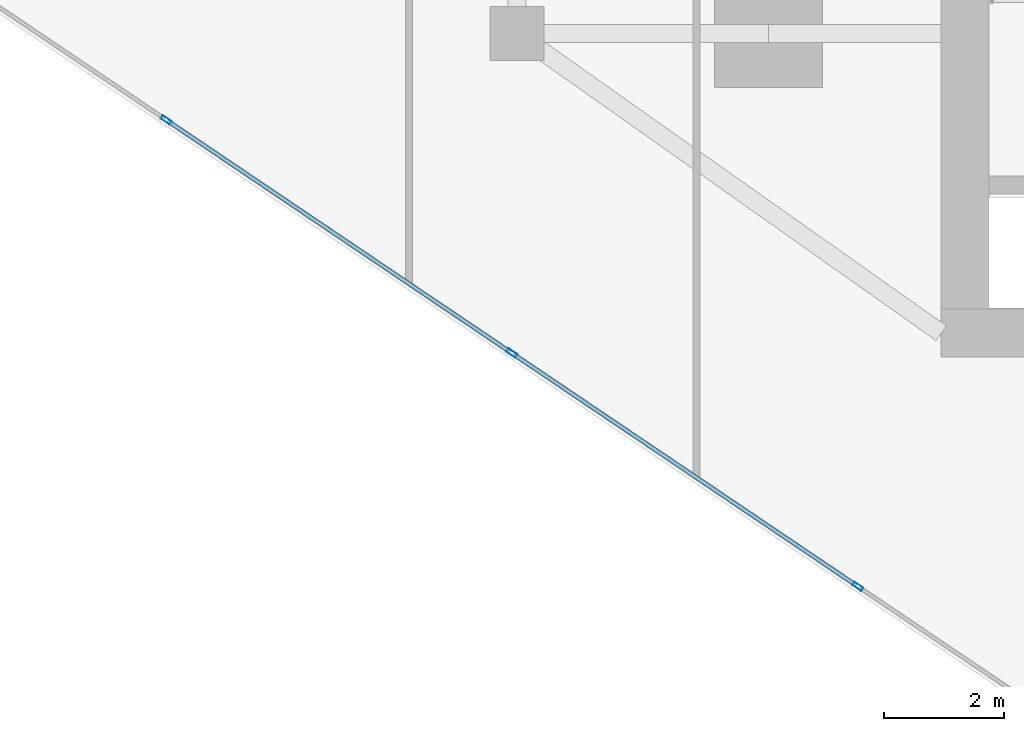
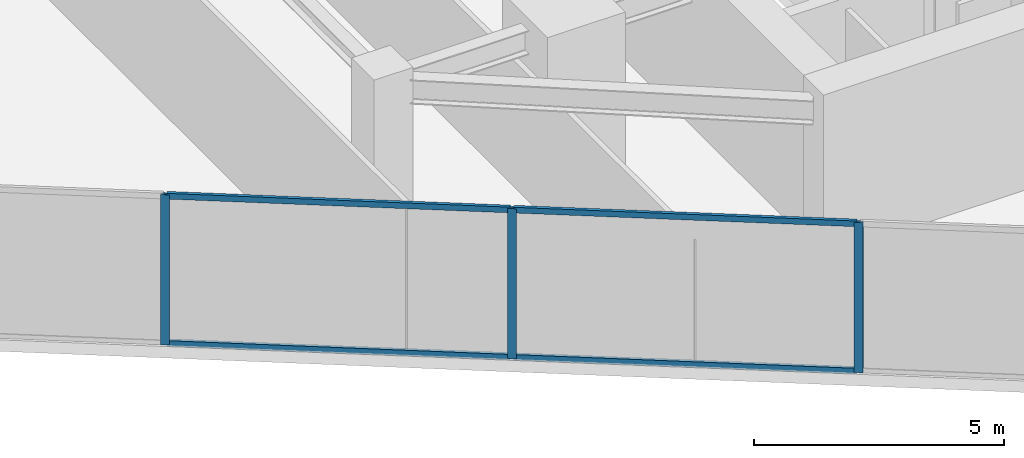
# One storey, part 2 of 27: 7 members, 1 element without a shape of its own.
"""IFC4 building model written with IfcOpenShell, lengths in metres."""

from ifc_helpers import new_model, si_unit, direction, frame, origin, origin_2d, place, context, subcontext, project, spatial, hollow_rectangle, extrude, source, transform, mapped, material, material_profile, profile_set, type_object, type_shapes, element, aggregate, save


model = new_model("IFC4")

# Units and contexts
model_context = context("Model", 3, precision=1e-05, world=origin(), true_north=direction((0.0, 1.0)))
body_context = subcontext(model_context, "Body", "Model", "MODEL_VIEW")
ifc_project = project(units=[si_unit("LENGTHUNIT", "METRE"), si_unit("AREAUNIT", "SQUARE_METRE"), si_unit("VOLUMEUNIT", "CUBIC_METRE"), si_unit("PLANEANGLEUNIT", "RADIAN"), si_unit("MASSUNIT", "GRAM", prefix="KILO")], contexts=[model_context])

# Site, building, storey
site_placement = place(None, origin())
site = spatial("IfcSite", under=ifc_project, at=site_placement, CompositionType="ELEMENT")
building_placement = place(site_placement, origin())
building = spatial("IfcBuilding", under=site, at=building_placement, Name="Krantzveldt Concourse Tower", CompositionType="ELEMENT")
storey_placement = place(building_placement, frame((0.0, 0.0, 185.699951171875)))
storey = spatial("IfcBuildingStorey", under=building, at=storey_placement, Name="L45", CompositionType="ELEMENT", Elevation=185.699951171875)

# Curtain wall, members
ifc_material = material(Name="Anodised aluminium 6063-T6", Category="aluminium")
curtain_wall_type = type_object("IfcCurtainWallType", Name="CW3", PredefinedType="USERDEFINED", material=ifc_material)
curtain_wall_placement = place(storey_placement, origin())
curtain_wall = element("IfcCurtainWall", 1, at=curtain_wall_placement, inside=storey, type_object=curtain_wall_type, Name="CW-L45-F04", ObjectType="UNITISED CURTAIN WALL", PredefinedType="USERDEFINED")
ifc_material_profile_1 = material_profile(ifc_material, hollow_rectangle(XDim=0.070068359375, YDim=0.179931640625, WallThickness=0.0048828125, at=origin_2d()), Name="Anodised aluminium 6063-T6", Category="aluminium")
ifc_profile_set_1 = profile_set([ifc_material_profile_1], Name="Anodised aluminium 6063-T6 - ALU-MULL 180x70x5")
member_type_1 = type_object("IfcMemberType", Name="CW-MUL-180", PredefinedType="MULLION", material=ifc_profile_set_1)
shared_shape_1 = source(origin(), body_context, "Body", "SweptSolid", [
    extrude(hollow_rectangle(XDim=0.070068359375, YDim=0.179931640625, WallThickness=0.0048828125, at=origin_2d()), origin(), (0.0, 0.0, 1.0), 3.670166015625),
])
type_shapes(member_type_1, [shared_shape_1])
member_1_placement = place(storey_placement, frame((15.14892578125, 14.45654296875, 0.0), z_axis=(0.0, 0.0, 1.0), x_axis=(0.559192810447, 0.829037635301, 0.0)))
member_1 = element("IfcMember", 2, at=member_1_placement, type_object=member_type_1, Name="CW-Z34 mullion 2", PredefinedType="MULLION", context=body_context, shape_type="MappedRepresentation", body=[
    mapped(shared_shape_1, transform((0.0, 0.0, 0.0), x_axis=(1.0, 0.0, 0.0), y_axis=(0.0, 1.0, 0.0), z_axis=(0.0, 0.0, 1.0), scale=1.0)),
])
member_2_placement = place(storey_placement, frame((20.9189453125, 10.564697265625, 0.0), z_axis=(0.0, 0.0, 1.0), x_axis=(0.559192810447, 0.829037635301, 0.0)))
member_2 = element("IfcMember", 3, at=member_2_placement, type_object=member_type_1, Name="CW-Z34 mullion 3", PredefinedType="MULLION", context=body_context, shape_type="MappedRepresentation", body=[
    mapped(shared_shape_1, transform((0.0, 0.0, 0.0), x_axis=(1.0, 0.0, 0.0), y_axis=(0.0, 1.0, 0.0), z_axis=(0.0, 0.0, 1.0), scale=1.0)),
])
member_3_placement = place(storey_placement, frame((26.68896484375, 6.672607421875, 0.0), z_axis=(0.0, 0.0, 1.0), x_axis=(0.559192810447, 0.829037635301, 0.0)))
member_3 = element("IfcMember", 4, at=member_3_placement, type_object=member_type_1, Name="CW-Z34 mullion 4", PredefinedType="MULLION", context=body_context, shape_type="MappedRepresentation", body=[
    mapped(shared_shape_1, transform((0.0, 0.0, 0.0), x_axis=(1.0, 0.0, 0.0), y_axis=(0.0, 1.0, 0.0), z_axis=(0.0, 0.0, 1.0), scale=1.0)),
])
ifc_material_profile_2 = material_profile(ifc_material, hollow_rectangle(XDim=0.070068359375, YDim=0.139892578125, WallThickness=0.0048828125, at=origin_2d()), Name="Anodised aluminium 6063-T6", Category="aluminium")
ifc_profile_set_2 = profile_set([ifc_material_profile_2], Name="Anodised aluminium 6063-T6 - ALU-TRAN 140x70x5")
member_type_2 = type_object("IfcMemberType", Name="CW-TRN-150", PredefinedType="USERDEFINED", material=ifc_profile_set_2)
shared_shape_2 = source(origin(), body_context, "Body", "SweptSolid", [
    extrude(hollow_rectangle(XDim=0.070068359375, YDim=0.139892578125, WallThickness=0.0048828125, at=origin_2d()), origin(), (0.0, 0.0, 1.0), 6.89013671875),
])
member_4_placement = place(storey_placement, frame((20.947998046875, 10.545166015625, 0.03515625), z_axis=(0.829045387848, -0.559181316648, 0.0), x_axis=(0.559181316648, 0.829045387848, 0.0)))
member_4 = element("IfcMember", 5, at=member_4_placement, type_object=member_type_2, Name="CW-Z34 transom 3.1", ObjectType="TRANSOM", PredefinedType="USERDEFINED", context=body_context, shape_type="MappedRepresentation", body=[
    mapped(shared_shape_2, transform((0.0, 0.0, 0.0), x_axis=(1.0, 0.0, 0.0), y_axis=(0.0, 1.0, 0.0), z_axis=(0.0, 0.0, 1.0), scale=1.0)),
])
member_5_placement = place(storey_placement, frame((20.947998046875, 10.545166015625, 3.635009765625), z_axis=(0.829045387848, -0.559181316648, 0.0), x_axis=(0.559181316648, 0.829045387848, 0.0)))
member_5 = element("IfcMember", 6, at=member_5_placement, type_object=member_type_2, Name="CW-Z34 transom 3.2", ObjectType="TRANSOM", PredefinedType="USERDEFINED", context=body_context, shape_type="MappedRepresentation", body=[
    mapped(shared_shape_2, transform((0.0, 0.0, 0.0), x_axis=(1.0, 0.0, 0.0), y_axis=(0.0, 1.0, 0.0), z_axis=(0.0, 0.0, 1.0), scale=1.0)),
])
shared_shape_3 = source(origin(), body_context, "Body", "SweptSolid", [
    extrude(hollow_rectangle(XDim=0.070068359375, YDim=0.139892578125, WallThickness=0.0048828125, at=origin_2d()), origin(), (0.0, 0.0, 1.0), 6.889892578125),
])
type_shapes(member_type_2, [shared_shape_2, shared_shape_3])
member_6_placement = place(storey_placement, frame((15.177978515625, 14.43701171875, 0.03515625), z_axis=(0.829034307776, -0.559197743675, 0.0), x_axis=(0.559197743675, 0.829034307776, 0.0)))
member_6 = element("IfcMember", 7, at=member_6_placement, type_object=member_type_2, Name="CW-Z34 transom 2.1", ObjectType="TRANSOM", PredefinedType="USERDEFINED", context=body_context, shape_type="MappedRepresentation", body=[
    mapped(shared_shape_3, transform((0.0, 0.0, 0.0), x_axis=(1.0, 0.0, 0.0), y_axis=(0.0, 1.0, 0.0), z_axis=(0.0, 0.0, 1.0), scale=1.0)),
])
member_7_placement = place(storey_placement, frame((15.177978515625, 14.43701171875, 3.635009765625), z_axis=(0.829034307776, -0.559197743675, 0.0), x_axis=(0.559197743675, 0.829034307776, 0.0)))
member_7 = element("IfcMember", 8, at=member_7_placement, type_object=member_type_2, Name="CW-Z34 transom 2.2", ObjectType="TRANSOM", PredefinedType="USERDEFINED", context=body_context, shape_type="MappedRepresentation", body=[
    mapped(shared_shape_3, transform((0.0, 0.0, 0.0), x_axis=(1.0, 0.0, 0.0), y_axis=(0.0, 1.0, 0.0), z_axis=(0.0, 0.0, 1.0), scale=1.0)),
])
aggregate(curtain_wall, [member_1, member_2, member_3, member_6, member_7, member_4, member_5])

save(model, "model.ifc")
